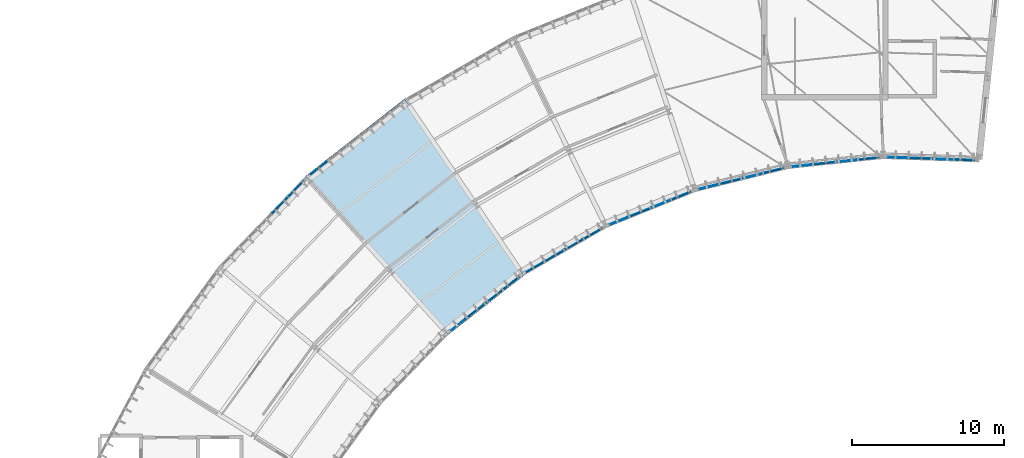
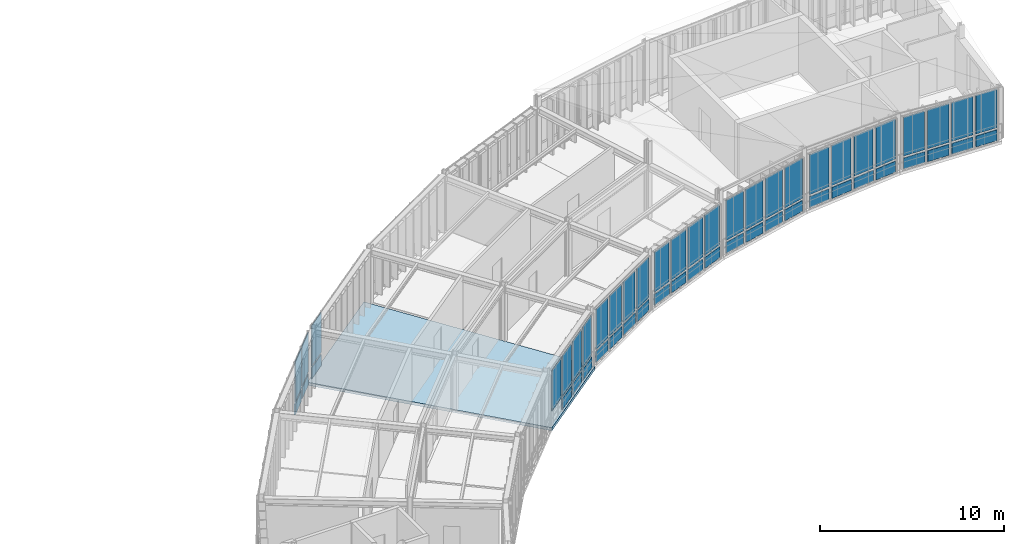
# One storey, part 19 of 42: 53 plates, 1 slab, 8 elements without a shape of their own.
"""IFC4 building model written with IfcOpenShell, lengths in metres."""

from ifc_helpers import new_model, si_unit, direction, frame, origin, origin_2d, place, context, subcontext, project, spatial, polyline, rectangle, outline, extrude, material, layer, layer_set, type_object, element, aggregate, save


model = new_model("IFC4")

# Units and contexts
model_context = context("Model", 3, precision=1e-05, world=origin(), true_north=direction((0.0, 1.0)))
body_context = subcontext(model_context, "Body", "Model", "MODEL_VIEW")
ifc_project = project(units=[si_unit("LENGTHUNIT", "METRE"), si_unit("AREAUNIT", "SQUARE_METRE"), si_unit("VOLUMEUNIT", "CUBIC_METRE"), si_unit("PLANEANGLEUNIT", "RADIAN"), si_unit("MASSUNIT", "GRAM", prefix="KILO"), si_unit("THERMODYNAMICTEMPERATUREUNIT", "KELVIN"), si_unit("POWERUNIT", "WATT")], contexts=[model_context])

# Site, building, storey
site_placement = place(None, origin())
site = spatial("IfcSite", under=ifc_project, at=site_placement, CompositionType="ELEMENT")
building_placement = place(site_placement, origin())
building = spatial("IfcBuilding", under=site, at=building_placement, Name="Solvatero Civic Police Headquarters", CompositionType="ELEMENT")
storey_placement = place(building_placement, frame((0.0, 0.0, 21.60009765625)))
storey = spatial("IfcBuildingStorey", under=building, at=storey_placement, Name="L05", CompositionType="ELEMENT", Elevation=21.60009765625)

# Curtain wall, plates
ifc_material_1 = material(Name="Anodized Bronze Aluminium", Category="aluminium")
ifc_layer_1 = layer(ifc_material_1, 0.179931640625)
ifc_layer_set_1 = layer_set([ifc_layer_1], Name="Anodized Bronze Aluminium")
curtain_wall_type_1 = type_object("IfcCurtainWallType", Name="CW-ARC-IN", PredefinedType="USERDEFINED", material=ifc_layer_set_1)
curtain_wall_1_placement = place(storey_placement, origin())
curtain_wall_1 = element("IfcCurtainWall", 1, at=curtain_wall_1_placement, inside=storey, type_object=curtain_wall_type_1, Name="Curtain Wall CW-R2-L05-ARC-IN-B01", ObjectType="UNITISED", PredefinedType="USERDEFINED")
ifc_material_2 = material(Name="Triple Low-E Laminated Glass", Category="glass")
ifc_layer_2 = layer(ifc_material_2, 0.0380859375)
ifc_layer_set_2 = layer_set([ifc_layer_2], Name="Triple Low-E Laminated Glass")
plate_type_1 = type_object("IfcPlateType", Name="CWP-GLZ-38", PredefinedType="CURTAIN_PANEL", material=ifc_layer_set_2)
plate_1_placement = place(storey_placement, frame((96.3076171875, 70.956787109375, 0.909912109375), z_axis=(0.0, 0.0, 1.0), x_axis=(-0.999390827019, 0.034899496703, 0.0)))
plate_1 = element("IfcPlate", 2, at=plate_1_placement, type_object=plate_type_1, Name="CW-R2-L05-ARC-IN-B01 Vision Glazing 2", PredefinedType="CURTAIN_PANEL", context=body_context, shape_type="SweptSolid", body=[
    extrude(rectangle(XDim=1.30419921875, YDim=0.0380859375, at=origin_2d()), origin(), (0.0, 0.0, 1.0), 2.58154296875),
])
plate_2_placement = place(storey_placement, frame((93.3408203125, 71.060546875, 0.909912109375), z_axis=(0.0, 0.0, 1.0), x_axis=(-0.999390827019, 0.034899496703, 0.0)))
plate_2 = element("IfcPlate", 3, at=plate_2_placement, type_object=plate_type_1, Name="CW-R2-L05-ARC-IN-B01 Vision Glazing 4", PredefinedType="CURTAIN_PANEL", context=body_context, shape_type="SweptSolid", body=[
    extrude(rectangle(XDim=1.30419921875, YDim=0.0380859375, at=origin_2d()), origin(), (0.0, 0.0, 1.0), 2.58154296875),
])

curtain_wall_2_placement = place(storey_placement, origin())
curtain_wall_2 = element("IfcCurtainWall", 4, at=curtain_wall_2_placement, inside=storey, type_object=curtain_wall_type_1, Name="Curtain Wall CW-R2-L05-ARC-IN-B02", ObjectType="UNITISED", PredefinedType="USERDEFINED")
plate_3_placement = place(storey_placement, frame((90.034423828125, 70.84130859375, 0.909912109375), z_axis=(0.0, 0.0, 1.0), x_axis=(-0.994521895368, -0.104528463268, 0.0)))
plate_3 = element("IfcPlate", 5, at=plate_3_placement, type_object=plate_type_1, Name="CW-R2-L05-ARC-IN-B02 Vision Glazing 2", PredefinedType="CURTAIN_PANEL", context=body_context, shape_type="SweptSolid", body=[
    extrude(rectangle(XDim=1.306640625, YDim=0.0380859375, at=origin_2d()), origin(), (0.0, 0.0, 1.0), 2.669921875),
])
plate_4_placement = place(storey_placement, frame((87.077392578125, 70.530517578125, 0.909912109375), z_axis=(0.0, 0.0, 1.0), x_axis=(-0.994521895368, -0.104528463268, 0.0)))
plate_4 = element("IfcPlate", 6, at=plate_4_placement, type_object=plate_type_1, Name="CW-R2-L05-ARC-IN-B02 Vision Glazing 4", PredefinedType="CURTAIN_PANEL", context=body_context, shape_type="SweptSolid", body=[
    extrude(rectangle(XDim=1.306640625, YDim=0.0380859375, at=origin_2d()), origin(), (0.0, 0.0, 1.0), 2.669921875),
])

curtain_wall_3_placement = place(storey_placement, origin())
curtain_wall_3 = element("IfcCurtainWall", 7, at=curtain_wall_3_placement, inside=storey, type_object=curtain_wall_type_1, Name="Curtain Wall CW-R2-L05-ARC-IN-B03", ObjectType="UNITISED", PredefinedType="USERDEFINED")
plate_5_placement = place(storey_placement, frame((83.83251953125, 69.852783203125, 0.909912109375), z_axis=(0.0, 0.0, 1.0), x_axis=(-0.970299948462, -0.241904960708, 0.0)))
plate_5 = element("IfcPlate", 8, at=plate_5_placement, type_object=plate_type_1, Name="CW-R2-L05-ARC-IN-B03 Vision Glazing 2", PredefinedType="CURTAIN_PANEL", context=body_context, shape_type="SweptSolid", body=[
    extrude(rectangle(XDim=1.306884765625, YDim=0.0380859375, at=origin_2d()), origin(), (0.0, 0.0, 1.0), 2.669921875),
])
plate_6_placement = place(storey_placement, frame((80.947265625, 69.133544921875, 0.909912109375), z_axis=(0.0, 0.0, 1.0), x_axis=(-0.970299948462, -0.241904960708, 0.0)))
plate_6 = element("IfcPlate", 9, at=plate_6_placement, type_object=plate_type_1, Name="CW-R2-L05-ARC-IN-B03 Vision Glazing 4", PredefinedType="CURTAIN_PANEL", context=body_context, shape_type="SweptSolid", body=[
    extrude(rectangle(XDim=1.306884765625, YDim=0.0380859375, at=origin_2d()), origin(), (0.0, 0.0, 1.0), 2.669921875),
])

curtain_wall_4_placement = place(storey_placement, origin())
curtain_wall_4 = element("IfcCurtainWall", 10, at=curtain_wall_4_placement, inside=storey, type_object=curtain_wall_type_1, Name="Curtain Wall CW-R2-L05-ARC-IN-B04", ObjectType="UNITISED", PredefinedType="USERDEFINED")
plate_7_placement = place(storey_placement, frame((77.831787109375, 68.012451171875, 0.909912109375), z_axis=(0.0, 0.0, 1.0), x_axis=(-0.927183854567, -0.374606593416, 0.0)))
plate_7 = element("IfcPlate", 11, at=plate_7_placement, type_object=plate_type_1, Name="CW-R2-L05-ARC-IN-B04 Vision Glazing 2", PredefinedType="CURTAIN_PANEL", context=body_context, shape_type="SweptSolid", body=[
    extrude(rectangle(XDim=1.30419921875, YDim=0.0380859375, at=origin_2d()), origin(), (0.0, 0.0, 1.0), 2.669921875),
])
plate_8_placement = place(storey_placement, frame((75.079345703125, 66.900390625, 0.909912109375), z_axis=(0.0, 0.0, 1.0), x_axis=(-0.927183854567, -0.374606593416, 0.0)))
plate_8 = element("IfcPlate", 12, at=plate_8_placement, type_object=plate_type_1, Name="CW-R2-L05-ARC-IN-B04 Vision Glazing 4", PredefinedType="CURTAIN_PANEL", context=body_context, shape_type="SweptSolid", body=[
    extrude(rectangle(XDim=1.30419921875, YDim=0.0380859375, at=origin_2d()), origin(), (0.0, 0.0, 1.0), 2.669921875),
])

curtain_wall_5_placement = place(storey_placement, origin())
curtain_wall_5 = element("IfcCurtainWall", 13, at=curtain_wall_5_placement, inside=storey, type_object=curtain_wall_type_1, Name="Curtain Wall CW-R2-L05-ARC-IN-B05", ObjectType="UNITISED", PredefinedType="USERDEFINED")
plate_9_placement = place(storey_placement, frame((72.13330078125, 65.348388671875, 0.909912109375), z_axis=(0.0, 0.0, 1.0), x_axis=(-0.866025403784, -0.5, 0.0)))
plate_9 = element("IfcPlate", 14, at=plate_9_placement, type_object=plate_type_1, Name="CW-R2-L05-ARC-IN-B05 Vision Glazing 2", PredefinedType="CURTAIN_PANEL", context=body_context, shape_type="SweptSolid", body=[
    extrude(rectangle(XDim=1.30419921875, YDim=0.0380859375, at=origin_2d()), origin(), (0.0, 0.0, 1.0), 2.669921875),
])
plate_10_placement = place(storey_placement, frame((69.5625, 63.8642578125, 0.909912109375), z_axis=(0.0, 0.0, 1.0), x_axis=(-0.866025403784, -0.5, 0.0)))
plate_10 = element("IfcPlate", 15, at=plate_10_placement, type_object=plate_type_1, Name="CW-R2-L05-ARC-IN-B05 Vision Glazing 4", PredefinedType="CURTAIN_PANEL", context=body_context, shape_type="SweptSolid", body=[
    extrude(rectangle(XDim=1.30419921875, YDim=0.0380859375, at=origin_2d()), origin(), (0.0, 0.0, 1.0), 2.669921875),
])

# Curtain wall, plate
ifc_layer_3 = layer(ifc_material_1, 0.179931640625)
ifc_layer_set_3 = layer_set([ifc_layer_3], Name="Anodized Bronze Aluminium")
curtain_wall_type_2 = type_object("IfcCurtainWallType", Name="CW-ARC-OUT", PredefinedType="USERDEFINED", material=ifc_layer_set_3)
curtain_wall_6_placement = place(storey_placement, origin())
curtain_wall_6 = element("IfcCurtainWall", 16, at=curtain_wall_6_placement, inside=storey, type_object=curtain_wall_type_2, Name="Curtain Wall CW-R2-L05-ARC-OUT-B06", ObjectType="UNITISED", PredefinedType="USERDEFINED")
plate_11_placement = place(storey_placement, frame((55.385986328125, 70.369140625, 0.909912109375), z_axis=(0.0, 0.0, 1.0), x_axis=(-0.788010753607, -0.615661475326, 0.0)))
plate_11 = element("IfcPlate", 17, at=plate_11_placement, type_object=plate_type_1, Name="CW-R2-L05-ARC-OUT-B06 Vision Glazing 5", PredefinedType="CURTAIN_PANEL", context=body_context, shape_type="SweptSolid", body=[
    extrude(rectangle(XDim=1.37841796875, YDim=0.0380859375, at=origin_2d()), origin(), (0.0, 0.0, 1.0), 2.669921875),
])

# Curtain wall, plates
curtain_wall_7_placement = place(storey_placement, origin())
curtain_wall_7 = element("IfcCurtainWall", 18, at=curtain_wall_7_placement, inside=storey, type_object=curtain_wall_type_1, Name="Curtain Wall CW-R2-L05-ARC-IN-B06", ObjectType="UNITISED", PredefinedType="USERDEFINED")
plate_12_placement = place(storey_placement, frame((66.877685546875, 61.928466796875, 0.909912109375), z_axis=(0.0, 0.0, 1.0), x_axis=(-0.788010753607, -0.615661475326, 0.0)))
plate_12 = element("IfcPlate", 19, at=plate_12_placement, type_object=plate_type_1, Name="CW-R2-L05-ARC-IN-B06 Vision Glazing 2", PredefinedType="CURTAIN_PANEL", context=body_context, shape_type="SweptSolid", body=[
    extrude(rectangle(XDim=1.30419921875, YDim=0.0380859375, at=origin_2d()), origin(), (0.0, 0.0, 1.0), 2.669921875),
])
plate_13_placement = place(storey_placement, frame((64.53857421875, 60.100830078125, 0.909912109375), z_axis=(0.0, 0.0, 1.0), x_axis=(-0.788010753607, -0.615661475326, 0.0)))
plate_13 = element("IfcPlate", 20, at=plate_13_placement, type_object=plate_type_1, Name="CW-R2-L05-ARC-IN-B06 Vision Glazing 4", PredefinedType="CURTAIN_PANEL", context=body_context, shape_type="SweptSolid", body=[
    extrude(rectangle(XDim=1.30419921875, YDim=0.0380859375, at=origin_2d()), origin(), (0.0, 0.0, 1.0), 2.669921875),
])

# Curtain wall, plate
curtain_wall_8_placement = place(storey_placement, origin())
curtain_wall_8 = element("IfcCurtainWall", 21, at=curtain_wall_8_placement, inside=storey, type_object=curtain_wall_type_2, Name="Curtain Wall CW-R2-L05-ARC-OUT-B07", ObjectType="UNITISED", PredefinedType="USERDEFINED")
plate_14_placement = place(storey_placement, frame((53.91015625, 69.040283203125, 0.909912109375), z_axis=(0.0, 0.0, 1.0), x_axis=(-0.694658370459, -0.719339800339, 0.0)))
plate_14 = element("IfcPlate", 22, at=plate_14_placement, type_object=plate_type_1, Name="CW-R2-L05-ARC-OUT-B07 Vision Glazing 1", PredefinedType="CURTAIN_PANEL", context=body_context, shape_type="SweptSolid", body=[
    extrude(rectangle(XDim=1.37841796875, YDim=0.0380859375, at=origin_2d()), origin(), (0.0, 0.0, 1.0), 2.669921875),
])

# Plate
ifc_material_3 = material(Name="Acoustic Ballistic Laminated Glass", Category="glass")
ifc_layer_4 = layer(ifc_material_3, 0.0439453125)
ifc_layer_set_4 = layer_set([ifc_layer_4], Name="Acoustic Ballistic Laminated Glass")
plate_type_2 = type_object("IfcPlateType", Name="CWP-GLZ-44", PredefinedType="CURTAIN_PANEL", material=ifc_layer_set_4)
plate_15_placement = place(storey_placement, frame((97.790771484375, 70.905029296875, 0.909912109375), z_axis=(0.0, 0.0, 1.0), x_axis=(-0.999390827019, 0.034899496703, 0.0)))
plate_15 = element("IfcPlate", 23, at=plate_15_placement, type_object=plate_type_2, Name="CW-R2-L05-ARC-IN-B01 Vision Glazing 1", PredefinedType="CURTAIN_PANEL", context=body_context, shape_type="SweptSolid", body=[
    extrude(rectangle(XDim=1.30419921875, YDim=0.0439453125, at=origin_2d()), origin(), (0.0, 0.0, 1.0), 2.58154296875),
])

plate_16_placement = place(storey_placement, frame((94.82421875, 71.0087890625, 0.909912109375), z_axis=(0.0, 0.0, 1.0), x_axis=(-0.999390827019, 0.034899496703, 0.0)))
plate_16 = element("IfcPlate", 24, at=plate_16_placement, type_object=plate_type_2, Name="CW-R2-L05-ARC-IN-B01 Vision Glazing 3", PredefinedType="CURTAIN_PANEL", context=body_context, shape_type="SweptSolid", body=[
    extrude(rectangle(XDim=1.30419921875, YDim=0.0439453125, at=origin_2d()), origin(), (0.0, 0.0, 1.0), 2.58154296875),
])

plate_17_placement = place(storey_placement, frame((91.51318359375, 70.99658203125, 0.909912109375), z_axis=(0.0, 0.0, 1.0), x_axis=(-0.994521895368, -0.104528463268, 0.0)))
plate_17 = element("IfcPlate", 25, at=plate_17_placement, type_object=plate_type_2, Name="CW-R2-L05-ARC-IN-B02 Vision Glazing 1", PredefinedType="CURTAIN_PANEL", context=body_context, shape_type="SweptSolid", body=[
    extrude(rectangle(XDim=1.306640625, YDim=0.0439453125, at=origin_2d()), origin(), (0.0, 0.0, 1.0), 2.669921875),
])

plate_18_placement = place(storey_placement, frame((88.555908203125, 70.685791015625, 0.909912109375), z_axis=(0.0, 0.0, 1.0), x_axis=(-0.994521895368, -0.104528463268, 0.0)))
plate_18 = element("IfcPlate", 26, at=plate_18_placement, type_object=plate_type_2, Name="CW-R2-L05-ARC-IN-B02 Vision Glazing 3", PredefinedType="CURTAIN_PANEL", context=body_context, shape_type="SweptSolid", body=[
    extrude(rectangle(XDim=1.306640625, YDim=0.0439453125, at=origin_2d()), origin(), (0.0, 0.0, 1.0), 2.669921875),
])

plate_19_placement = place(storey_placement, frame((85.27490234375, 70.212646484375, 0.909912109375), z_axis=(0.0, 0.0, 1.0), x_axis=(-0.970299948462, -0.241904960708, 0.0)))
plate_19 = element("IfcPlate", 27, at=plate_19_placement, type_object=plate_type_2, Name="CW-R2-L05-ARC-IN-B03 Vision Glazing 1", PredefinedType="CURTAIN_PANEL", context=body_context, shape_type="SweptSolid", body=[
    extrude(rectangle(XDim=1.306884765625, YDim=0.0439453125, at=origin_2d()), origin(), (0.0, 0.0, 1.0), 2.669921875),
])

plate_20_placement = place(storey_placement, frame((82.389892578125, 69.4931640625, 0.909912109375), z_axis=(0.0, 0.0, 1.0), x_axis=(-0.970299948462, -0.241904960708, 0.0)))
plate_20 = element("IfcPlate", 28, at=plate_20_placement, type_object=plate_type_2, Name="CW-R2-L05-ARC-IN-B03 Vision Glazing 3", PredefinedType="CURTAIN_PANEL", context=body_context, shape_type="SweptSolid", body=[
    extrude(rectangle(XDim=1.306884765625, YDim=0.0439453125, at=origin_2d()), origin(), (0.0, 0.0, 1.0), 2.669921875),
])

plate_21_placement = place(storey_placement, frame((79.207763671875, 68.568603515625, 0.909912109375), z_axis=(0.0, 0.0, 1.0), x_axis=(-0.927183854567, -0.374606593416, 0.0)))
plate_21 = element("IfcPlate", 29, at=plate_21_placement, type_object=plate_type_2, Name="CW-R2-L05-ARC-IN-B04 Vision Glazing 1", PredefinedType="CURTAIN_PANEL", context=body_context, shape_type="SweptSolid", body=[
    extrude(rectangle(XDim=1.30419921875, YDim=0.0439453125, at=origin_2d()), origin(), (0.0, 0.0, 1.0), 2.669921875),
])

plate_22_placement = place(storey_placement, frame((76.45556640625, 67.45654296875, 0.909912109375), z_axis=(0.0, 0.0, 1.0), x_axis=(-0.927183854567, -0.374606593416, 0.0)))
plate_22 = element("IfcPlate", 30, at=plate_22_placement, type_object=plate_type_2, Name="CW-R2-L05-ARC-IN-B04 Vision Glazing 3", PredefinedType="CURTAIN_PANEL", context=body_context, shape_type="SweptSolid", body=[
    extrude(rectangle(XDim=1.30419921875, YDim=0.0439453125, at=origin_2d()), origin(), (0.0, 0.0, 1.0), 2.669921875),
])

plate_23_placement = place(storey_placement, frame((73.418701171875, 66.090576171875, 0.909912109375), z_axis=(0.0, 0.0, 1.0), x_axis=(-0.866025403784, -0.5, 0.0)))
plate_23 = element("IfcPlate", 31, at=plate_23_placement, type_object=plate_type_2, Name="CW-R2-L05-ARC-IN-B05 Vision Glazing 1", PredefinedType="CURTAIN_PANEL", context=body_context, shape_type="SweptSolid", body=[
    extrude(rectangle(XDim=1.30419921875, YDim=0.0439453125, at=origin_2d()), origin(), (0.0, 0.0, 1.0), 2.669921875),
])

plate_24_placement = place(storey_placement, frame((70.847900390625, 64.6064453125, 0.909912109375), z_axis=(0.0, 0.0, 1.0), x_axis=(-0.866025403784, -0.5, 0.0)))
plate_24 = element("IfcPlate", 32, at=plate_24_placement, type_object=plate_type_2, Name="CW-R2-L05-ARC-IN-B05 Vision Glazing 3", PredefinedType="CURTAIN_PANEL", context=body_context, shape_type="SweptSolid", body=[
    extrude(rectangle(XDim=1.30419921875, YDim=0.0439453125, at=origin_2d()), origin(), (0.0, 0.0, 1.0), 2.669921875),
])

plate_25_placement = place(storey_placement, frame((68.04736328125, 62.84228515625, 0.909912109375), z_axis=(0.0, 0.0, 1.0), x_axis=(-0.788010753607, -0.615661475326, 0.0)))
plate_25 = element("IfcPlate", 33, at=plate_25_placement, type_object=plate_type_2, Name="CW-R2-L05-ARC-IN-B06 Vision Glazing 1", PredefinedType="CURTAIN_PANEL", context=body_context, shape_type="SweptSolid", body=[
    extrude(rectangle(XDim=1.30419921875, YDim=0.0439453125, at=origin_2d()), origin(), (0.0, 0.0, 1.0), 2.669921875),
])

plate_26_placement = place(storey_placement, frame((65.708251953125, 61.0146484375, 0.909912109375), z_axis=(0.0, 0.0, 1.0), x_axis=(-0.788010753607, -0.615661475326, 0.0)))
plate_26 = element("IfcPlate", 34, at=plate_26_placement, type_object=plate_type_2, Name="CW-R2-L05-ARC-IN-B06 Vision Glazing 3", PredefinedType="CURTAIN_PANEL", context=body_context, shape_type="SweptSolid", body=[
    extrude(rectangle(XDim=1.30419921875, YDim=0.0439453125, at=origin_2d()), origin(), (0.0, 0.0, 1.0), 2.669921875),
])

plate_27_placement = place(storey_placement, frame((52.82763671875, 67.919189453125, 0.909912109375), z_axis=(0.0, 0.0, 1.0), x_axis=(-0.694658370459, -0.719339800339, 0.0)))
plate_27 = element("IfcPlate", 35, at=plate_27_placement, type_object=plate_type_2, Name="CW-R2-L05-ARC-OUT-B07 Vision Glazing 2", PredefinedType="CURTAIN_PANEL", context=body_context, shape_type="SweptSolid", body=[
    extrude(rectangle(XDim=1.37841796875, YDim=0.0439453125, at=origin_2d()), origin(), (0.0, 0.0, 1.0), 2.669921875),
])

ifc_material_4 = material(Name="Insulated Bronze Aluminium Spandrel", Category="aluminium")
ifc_layer_5 = layer(ifc_material_4, 0.06005859375)
ifc_layer_set_5 = layer_set([ifc_layer_5], Name="Insulated Bronze Aluminium Spandrel")
plate_type_3 = type_object("IfcPlateType", Name="CWP-SPN-60", PredefinedType="CURTAIN_PANEL", material=ifc_layer_set_5)
plate_28_placement = place(storey_placement, frame((96.3076171875, 70.956787109375, 0.059814453125), z_axis=(0.0, 0.0, 1.0), x_axis=(-0.999390827019, 0.034899496703, 0.0)))
plate_28 = element("IfcPlate", 36, at=plate_28_placement, type_object=plate_type_3, Name="CW-R2-L05-ARC-IN-B01 Spandrel Panel 2", PredefinedType="CURTAIN_PANEL", context=body_context, shape_type="SweptSolid", body=[
    extrude(rectangle(XDim=1.30419921875, YDim=0.06005859375, at=origin_2d()), origin(), (0.0, 0.0, 1.0), 0.72998046875),
])

plate_29_placement = place(storey_placement, frame((93.3408203125, 71.060546875, 0.059814453125), z_axis=(0.0, 0.0, 1.0), x_axis=(-0.999390827019, 0.034899496703, 0.0)))
plate_29 = element("IfcPlate", 37, at=plate_29_placement, type_object=plate_type_3, Name="CW-R2-L05-ARC-IN-B01 Spandrel Panel 4", PredefinedType="CURTAIN_PANEL", context=body_context, shape_type="SweptSolid", body=[
    extrude(rectangle(XDim=1.30419921875, YDim=0.06005859375, at=origin_2d()), origin(), (0.0, 0.0, 1.0), 0.72998046875),
])

plate_30_placement = place(storey_placement, frame((90.034423828125, 70.84130859375, 0.059814453125), z_axis=(0.0, 0.0, 1.0), x_axis=(-0.994521895368, -0.104528463268, 0.0)))
plate_30 = element("IfcPlate", 38, at=plate_30_placement, type_object=plate_type_3, Name="CW-R2-L05-ARC-IN-B02 Spandrel Panel 2", PredefinedType="CURTAIN_PANEL", context=body_context, shape_type="SweptSolid", body=[
    extrude(rectangle(XDim=1.306640625, YDim=0.06005859375, at=origin_2d()), origin(), (0.0, 0.0, 1.0), 0.72998046875),
])

plate_31_placement = place(storey_placement, frame((87.077392578125, 70.530517578125, 0.059814453125), z_axis=(0.0, 0.0, 1.0), x_axis=(-0.994521895368, -0.104528463268, 0.0)))
plate_31 = element("IfcPlate", 39, at=plate_31_placement, type_object=plate_type_3, Name="CW-R2-L05-ARC-IN-B02 Spandrel Panel 4", PredefinedType="CURTAIN_PANEL", context=body_context, shape_type="SweptSolid", body=[
    extrude(rectangle(XDim=1.306640625, YDim=0.06005859375, at=origin_2d()), origin(), (0.0, 0.0, 1.0), 0.72998046875),
])

plate_32_placement = place(storey_placement, frame((83.83251953125, 69.852783203125, 0.059814453125), z_axis=(0.0, 0.0, 1.0), x_axis=(-0.970299948462, -0.241904960708, 0.0)))
plate_32 = element("IfcPlate", 40, at=plate_32_placement, type_object=plate_type_3, Name="CW-R2-L05-ARC-IN-B03 Spandrel Panel 2", PredefinedType="CURTAIN_PANEL", context=body_context, shape_type="SweptSolid", body=[
    extrude(rectangle(XDim=1.306884765625, YDim=0.06005859375, at=origin_2d()), origin(), (0.0, 0.0, 1.0), 0.72998046875),
])

plate_33_placement = place(storey_placement, frame((80.947265625, 69.133544921875, 0.059814453125), z_axis=(0.0, 0.0, 1.0), x_axis=(-0.970299948462, -0.241904960708, 0.0)))
plate_33 = element("IfcPlate", 41, at=plate_33_placement, type_object=plate_type_3, Name="CW-R2-L05-ARC-IN-B03 Spandrel Panel 4", PredefinedType="CURTAIN_PANEL", context=body_context, shape_type="SweptSolid", body=[
    extrude(rectangle(XDim=1.306884765625, YDim=0.06005859375, at=origin_2d()), origin(), (0.0, 0.0, 1.0), 0.72998046875),
])

plate_34_placement = place(storey_placement, frame((77.831787109375, 68.012451171875, 0.059814453125), z_axis=(0.0, 0.0, 1.0), x_axis=(-0.927183854567, -0.374606593416, 0.0)))
plate_34 = element("IfcPlate", 42, at=plate_34_placement, type_object=plate_type_3, Name="CW-R2-L05-ARC-IN-B04 Spandrel Panel 2", PredefinedType="CURTAIN_PANEL", context=body_context, shape_type="SweptSolid", body=[
    extrude(rectangle(XDim=1.30419921875, YDim=0.06005859375, at=origin_2d()), origin(), (0.0, 0.0, 1.0), 0.72998046875),
])

plate_35_placement = place(storey_placement, frame((75.079345703125, 66.900390625, 0.059814453125), z_axis=(0.0, 0.0, 1.0), x_axis=(-0.927183854567, -0.374606593416, 0.0)))
plate_35 = element("IfcPlate", 43, at=plate_35_placement, type_object=plate_type_3, Name="CW-R2-L05-ARC-IN-B04 Spandrel Panel 4", PredefinedType="CURTAIN_PANEL", context=body_context, shape_type="SweptSolid", body=[
    extrude(rectangle(XDim=1.30419921875, YDim=0.06005859375, at=origin_2d()), origin(), (0.0, 0.0, 1.0), 0.72998046875),
])

plate_36_placement = place(storey_placement, frame((72.13330078125, 65.348388671875, 0.059814453125), z_axis=(0.0, 0.0, 1.0), x_axis=(-0.866025403784, -0.5, 0.0)))
plate_36 = element("IfcPlate", 44, at=plate_36_placement, type_object=plate_type_3, Name="CW-R2-L05-ARC-IN-B05 Spandrel Panel 2", PredefinedType="CURTAIN_PANEL", context=body_context, shape_type="SweptSolid", body=[
    extrude(rectangle(XDim=1.30419921875, YDim=0.06005859375, at=origin_2d()), origin(), (0.0, 0.0, 1.0), 0.72998046875),
])

plate_37_placement = place(storey_placement, frame((69.5625, 63.8642578125, 0.059814453125), z_axis=(0.0, 0.0, 1.0), x_axis=(-0.866025403784, -0.5, 0.0)))
plate_37 = element("IfcPlate", 45, at=plate_37_placement, type_object=plate_type_3, Name="CW-R2-L05-ARC-IN-B05 Spandrel Panel 4", PredefinedType="CURTAIN_PANEL", context=body_context, shape_type="SweptSolid", body=[
    extrude(rectangle(XDim=1.30419921875, YDim=0.06005859375, at=origin_2d()), origin(), (0.0, 0.0, 1.0), 0.72998046875),
])

plate_38_placement = place(storey_placement, frame((55.385986328125, 70.369140625, 0.059814453125), z_axis=(0.0, 0.0, 1.0), x_axis=(-0.788010753607, -0.615661475326, 0.0)))
plate_38 = element("IfcPlate", 46, at=plate_38_placement, type_object=plate_type_3, Name="CW-R2-L05-ARC-OUT-B06 Spandrel Panel 5", PredefinedType="CURTAIN_PANEL", context=body_context, shape_type="SweptSolid", body=[
    extrude(rectangle(XDim=1.37841796875, YDim=0.06005859375, at=origin_2d()), origin(), (0.0, 0.0, 1.0), 0.72998046875),
])

aggregate(curtain_wall_6, [plate_38, plate_11])

plate_39_placement = place(storey_placement, frame((66.877685546875, 61.928466796875, 0.059814453125), z_axis=(0.0, 0.0, 1.0), x_axis=(-0.788010753607, -0.615661475326, 0.0)))
plate_39 = element("IfcPlate", 47, at=plate_39_placement, type_object=plate_type_3, Name="CW-R2-L05-ARC-IN-B06 Spandrel Panel 2", PredefinedType="CURTAIN_PANEL", context=body_context, shape_type="SweptSolid", body=[
    extrude(rectangle(XDim=1.30419921875, YDim=0.06005859375, at=origin_2d()), origin(), (0.0, 0.0, 1.0), 0.72998046875),
])

plate_40_placement = place(storey_placement, frame((53.91015625, 69.040283203125, 0.059814453125), z_axis=(0.0, 0.0, 1.0), x_axis=(-0.694658370459, -0.719339800339, 0.0)))
plate_40 = element("IfcPlate", 48, at=plate_40_placement, type_object=plate_type_3, Name="CW-R2-L05-ARC-OUT-B07 Spandrel Panel 1", PredefinedType="CURTAIN_PANEL", context=body_context, shape_type="SweptSolid", body=[
    extrude(rectangle(XDim=1.37841796875, YDim=0.06005859375, at=origin_2d()), origin(), (0.0, 0.0, 1.0), 0.72998046875),
])

ifc_material_5 = material(Name="Limestone Veneer Spandrel Panel", Category="masonry")
ifc_layer_6 = layer(ifc_material_5, 0.074951171875)
ifc_layer_set_6 = layer_set([ifc_layer_6], Name="Limestone Veneer Spandrel Panel")
plate_type_4 = type_object("IfcPlateType", Name="CWP-SPN-75", PredefinedType="CURTAIN_PANEL", material=ifc_layer_set_6)
plate_41_placement = place(storey_placement, frame((97.790771484375, 70.905029296875, 0.059814453125), z_axis=(0.0, 0.0, 1.0), x_axis=(-0.999390827019, 0.034899496703, 0.0)))
plate_41 = element("IfcPlate", 49, at=plate_41_placement, type_object=plate_type_4, Name="CW-R2-L05-ARC-IN-B01 Spandrel Panel 1", PredefinedType="CURTAIN_PANEL", context=body_context, shape_type="SweptSolid", body=[
    extrude(rectangle(XDim=1.30419921875, YDim=0.074951171875, at=origin_2d()), origin(), (0.0, 0.0, 1.0), 0.72998046875),
])

plate_42_placement = place(storey_placement, frame((94.82421875, 71.0087890625, 0.059814453125), z_axis=(0.0, 0.0, 1.0), x_axis=(-0.999390827019, 0.034899496703, 0.0)))
plate_42 = element("IfcPlate", 50, at=plate_42_placement, type_object=plate_type_4, Name="CW-R2-L05-ARC-IN-B01 Spandrel Panel 3", PredefinedType="CURTAIN_PANEL", context=body_context, shape_type="SweptSolid", body=[
    extrude(rectangle(XDim=1.30419921875, YDim=0.074951171875, at=origin_2d()), origin(), (0.0, 0.0, 1.0), 0.72998046875),
])

aggregate(curtain_wall_1, [plate_41, plate_15, plate_28, plate_1, plate_42, plate_16, plate_29, plate_2])

plate_43_placement = place(storey_placement, frame((91.51318359375, 70.99658203125, 0.059814453125), z_axis=(0.0, 0.0, 1.0), x_axis=(-0.994521895368, -0.104528463268, 0.0)))
plate_43 = element("IfcPlate", 51, at=plate_43_placement, type_object=plate_type_4, Name="CW-R2-L05-ARC-IN-B02 Spandrel Panel 1", PredefinedType="CURTAIN_PANEL", context=body_context, shape_type="SweptSolid", body=[
    extrude(rectangle(XDim=1.306640625, YDim=0.074951171875, at=origin_2d()), origin(), (0.0, 0.0, 1.0), 0.72998046875),
])

plate_44_placement = place(storey_placement, frame((88.555908203125, 70.685791015625, 0.059814453125), z_axis=(0.0, 0.0, 1.0), x_axis=(-0.994521895368, -0.104528463268, 0.0)))
plate_44 = element("IfcPlate", 52, at=plate_44_placement, type_object=plate_type_4, Name="CW-R2-L05-ARC-IN-B02 Spandrel Panel 3", PredefinedType="CURTAIN_PANEL", context=body_context, shape_type="SweptSolid", body=[
    extrude(rectangle(XDim=1.306640625, YDim=0.074951171875, at=origin_2d()), origin(), (0.0, 0.0, 1.0), 0.72998046875),
])

aggregate(curtain_wall_2, [plate_43, plate_17, plate_30, plate_3, plate_44, plate_18, plate_31, plate_4])

plate_45_placement = place(storey_placement, frame((85.27490234375, 70.212646484375, 0.059814453125), z_axis=(0.0, 0.0, 1.0), x_axis=(-0.970299948462, -0.241904960708, 0.0)))
plate_45 = element("IfcPlate", 53, at=plate_45_placement, type_object=plate_type_4, Name="CW-R2-L05-ARC-IN-B03 Spandrel Panel 1", PredefinedType="CURTAIN_PANEL", context=body_context, shape_type="SweptSolid", body=[
    extrude(rectangle(XDim=1.306884765625, YDim=0.074951171875, at=origin_2d()), origin(), (0.0, 0.0, 1.0), 0.72998046875),
])

plate_46_placement = place(storey_placement, frame((82.389892578125, 69.4931640625, 0.059814453125), z_axis=(0.0, 0.0, 1.0), x_axis=(-0.970299948462, -0.241904960708, 0.0)))
plate_46 = element("IfcPlate", 54, at=plate_46_placement, type_object=plate_type_4, Name="CW-R2-L05-ARC-IN-B03 Spandrel Panel 3", PredefinedType="CURTAIN_PANEL", context=body_context, shape_type="SweptSolid", body=[
    extrude(rectangle(XDim=1.306884765625, YDim=0.074951171875, at=origin_2d()), origin(), (0.0, 0.0, 1.0), 0.72998046875),
])

aggregate(curtain_wall_3, [plate_45, plate_19, plate_32, plate_5, plate_46, plate_20, plate_33, plate_6])

plate_47_placement = place(storey_placement, frame((79.207763671875, 68.568603515625, 0.059814453125), z_axis=(0.0, 0.0, 1.0), x_axis=(-0.927183854567, -0.374606593416, 0.0)))
plate_47 = element("IfcPlate", 55, at=plate_47_placement, type_object=plate_type_4, Name="CW-R2-L05-ARC-IN-B04 Spandrel Panel 1", PredefinedType="CURTAIN_PANEL", context=body_context, shape_type="SweptSolid", body=[
    extrude(rectangle(XDim=1.30419921875, YDim=0.074951171875, at=origin_2d()), origin(), (0.0, 0.0, 1.0), 0.72998046875),
])

plate_48_placement = place(storey_placement, frame((76.45556640625, 67.45654296875, 0.059814453125), z_axis=(0.0, 0.0, 1.0), x_axis=(-0.927183854567, -0.374606593416, 0.0)))
plate_48 = element("IfcPlate", 56, at=plate_48_placement, type_object=plate_type_4, Name="CW-R2-L05-ARC-IN-B04 Spandrel Panel 3", PredefinedType="CURTAIN_PANEL", context=body_context, shape_type="SweptSolid", body=[
    extrude(rectangle(XDim=1.30419921875, YDim=0.074951171875, at=origin_2d()), origin(), (0.0, 0.0, 1.0), 0.72998046875),
])

aggregate(curtain_wall_4, [plate_47, plate_21, plate_34, plate_7, plate_48, plate_22, plate_35, plate_8])

plate_49_placement = place(storey_placement, frame((73.418701171875, 66.090576171875, 0.059814453125), z_axis=(0.0, 0.0, 1.0), x_axis=(-0.866025403784, -0.5, 0.0)))
plate_49 = element("IfcPlate", 57, at=plate_49_placement, type_object=plate_type_4, Name="CW-R2-L05-ARC-IN-B05 Spandrel Panel 1", PredefinedType="CURTAIN_PANEL", context=body_context, shape_type="SweptSolid", body=[
    extrude(rectangle(XDim=1.30419921875, YDim=0.074951171875, at=origin_2d()), origin(), (0.0, 0.0, 1.0), 0.72998046875),
])

plate_50_placement = place(storey_placement, frame((70.847900390625, 64.6064453125, 0.059814453125), z_axis=(0.0, 0.0, 1.0), x_axis=(-0.866025403784, -0.5, 0.0)))
plate_50 = element("IfcPlate", 58, at=plate_50_placement, type_object=plate_type_4, Name="CW-R2-L05-ARC-IN-B05 Spandrel Panel 3", PredefinedType="CURTAIN_PANEL", context=body_context, shape_type="SweptSolid", body=[
    extrude(rectangle(XDim=1.30419921875, YDim=0.074951171875, at=origin_2d()), origin(), (0.0, 0.0, 1.0), 0.72998046875),
])

aggregate(curtain_wall_5, [plate_49, plate_23, plate_36, plate_9, plate_50, plate_24, plate_37, plate_10])

plate_51_placement = place(storey_placement, frame((68.04736328125, 62.84228515625, 0.059814453125), z_axis=(0.0, 0.0, 1.0), x_axis=(-0.788010753607, -0.615661475326, 0.0)))
plate_51 = element("IfcPlate", 59, at=plate_51_placement, type_object=plate_type_4, Name="CW-R2-L05-ARC-IN-B06 Spandrel Panel 1", PredefinedType="CURTAIN_PANEL", context=body_context, shape_type="SweptSolid", body=[
    extrude(rectangle(XDim=1.30419921875, YDim=0.074951171875, at=origin_2d()), origin(), (0.0, 0.0, 1.0), 0.72998046875),
])

plate_52_placement = place(storey_placement, frame((65.708251953125, 61.0146484375, 0.059814453125), z_axis=(0.0, 0.0, 1.0), x_axis=(-0.788010753607, -0.615661475326, 0.0)))
plate_52 = element("IfcPlate", 60, at=plate_52_placement, type_object=plate_type_4, Name="CW-R2-L05-ARC-IN-B06 Spandrel Panel 3", PredefinedType="CURTAIN_PANEL", context=body_context, shape_type="SweptSolid", body=[
    extrude(rectangle(XDim=1.30419921875, YDim=0.074951171875, at=origin_2d()), origin(), (0.0, 0.0, 1.0), 0.72998046875),
])

aggregate(curtain_wall_7, [plate_51, plate_25, plate_39, plate_12, plate_52, plate_26, plate_13])

plate_53_placement = place(storey_placement, frame((52.82763671875, 67.919189453125, 0.059814453125), z_axis=(0.0, 0.0, 1.0), x_axis=(-0.694658370459, -0.719339800339, 0.0)))
plate_53 = element("IfcPlate", 61, at=plate_53_placement, type_object=plate_type_4, Name="CW-R2-L05-ARC-OUT-B07 Spandrel Panel 2", PredefinedType="CURTAIN_PANEL", context=body_context, shape_type="SweptSolid", body=[
    extrude(rectangle(XDim=1.37841796875, YDim=0.074951171875, at=origin_2d()), origin(), (0.0, 0.0, 1.0), 0.72998046875),
])

aggregate(curtain_wall_8, [plate_40, plate_14, plate_53, plate_27])

# Slab
ifc_material_6 = material(Name="Concrete C35/45", Category="concrete")
ifc_layer_7 = layer(ifc_material_6, 0.199951171875)
ifc_layer_set_7 = layer_set([ifc_layer_7], Name="Concrete C35/45")
slab_type = type_object("IfcSlabType", Name="SLB-COMP-200", PredefinedType="FLOOR", material=ifc_layer_set_7)
slab_placement = place(storey_placement, frame((0.0, 0.0, -0.2001953125)))
element("IfcSlab", 62, at=slab_placement, inside=storey, type_object=slab_type, Name="L05 Operations Arc Floor Slab Bay 6", PredefinedType="FLOOR", context=body_context, shape_type="SweptSolid", body=[
    extrude(outline(polyline([(61.006103515625, 74.912109375), (68.834716796875, 63.305419921875), (63.88916015625, 59.44140625), (54.521240234375, 69.845458984375), (61.006103515625, 74.912109375)])), origin(), (0.0, 0.0, 1.0), 0.2001953125),
])

save(model, "model.ifc")
